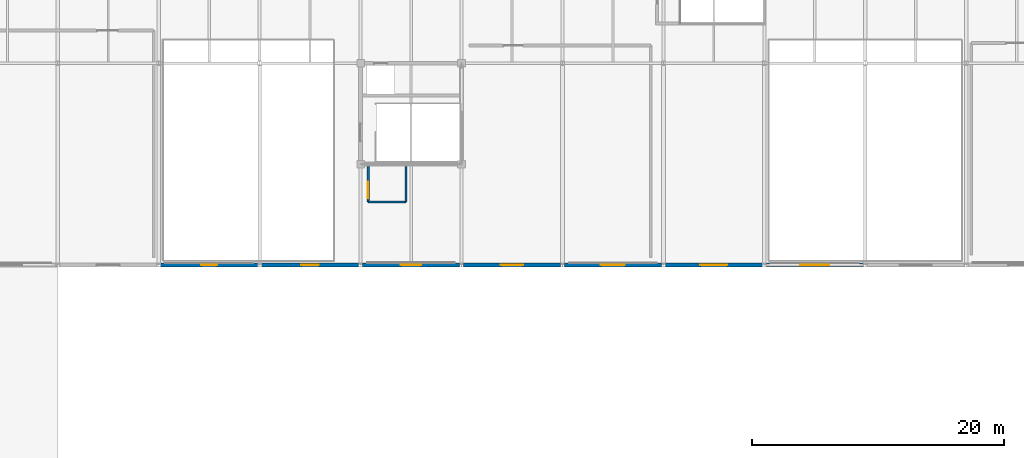
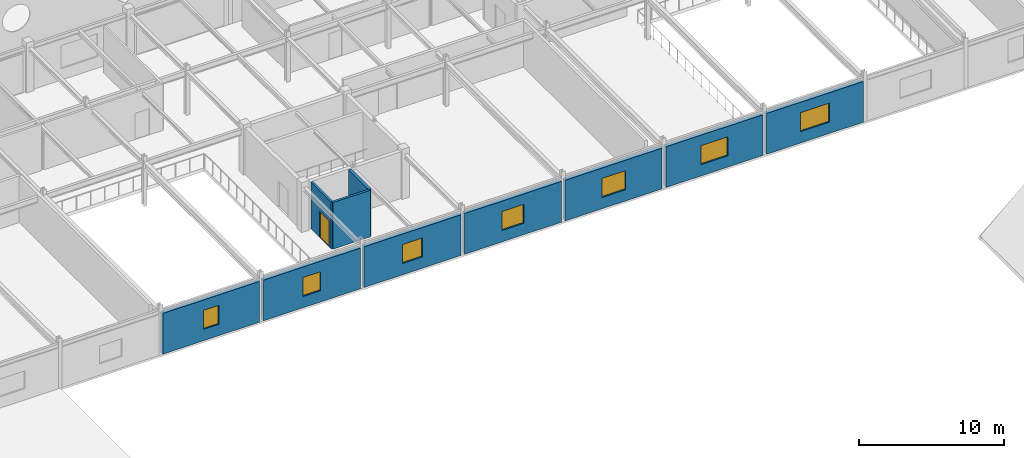
# One storey, part 77 of 88: 10 walls, 7 windows, 1 door, 8 openings.
"""IFC4 building model written with IfcOpenShell, lengths in metres."""

from ifc_helpers import new_model, si_unit, direction, frame, frame_2d, origin, place, context, subcontext, project, spatial, rectangle, extrude, material, layer, layer_set, type_object, element, fill, save


model = new_model("IFC4")

# Units and contexts
model_context = context("Model", 3, precision=1e-05, world=origin(), true_north=direction((0.0, 1.0)))
body_context = subcontext(model_context, "Body", "Model", "MODEL_VIEW")
ifc_project = project(units=[si_unit("LENGTHUNIT", "METRE"), si_unit("AREAUNIT", "SQUARE_METRE"), si_unit("VOLUMEUNIT", "CUBIC_METRE"), si_unit("PLANEANGLEUNIT", "RADIAN"), si_unit("MASSUNIT", "GRAM", prefix="KILO")], contexts=[model_context])

# Site, building, storey
site_placement = place(None, origin())
site = spatial("IfcSite", under=ifc_project, at=site_placement, CompositionType="ELEMENT")
building_placement = place(site_placement, origin())
building = spatial("IfcBuilding", under=site, at=building_placement, Name="Zhaolan Boulevard Law Courts", CompositionType="ELEMENT")
storey_placement = place(building_placement, frame((0.0, 0.0, 16.199951171875)))
storey = spatial("IfcBuildingStorey", under=building, at=storey_placement, Name="L03", CompositionType="ELEMENT", Elevation=16.199951171875)

# Wall, opening, window
ifc_material_1 = material(Name="Concrete C40", Category="concrete")
ifc_layer_1 = layer(ifc_material_1, 0.300048828125)
ifc_layer_set_1 = layer_set([ifc_layer_1])
wall_type_1 = type_object("IfcWallType", Name="EXT WALL CONCRETE300", PredefinedType="SOLIDWALL", material=ifc_layer_set_1)
wall_1_placement = place(storey_placement, frame((68.14599609375, 62.0, 0.0), z_axis=(0.0, 0.0, 1.0), x_axis=(1.0, 0.0, 0.0)))
wall_1 = element("IfcWall", 1, at=wall_1_placement, inside=storey, type_object=wall_type_1, Name="Exterior Wall EW-L03-272", PredefinedType="SOLIDWALL", context=body_context, shape_type="SweptSolid", body=[
    extrude(rectangle(XDim=7.7080078125, YDim=0.300048828125, at=frame_2d((3.85400390625, 0.0))), origin(), (0.0, 0.0, 1.0), 3.423095703125),
])
opening_1_placement = place(wall_1_placement, frame((3.22900390625, 0.0, 0.949951171875)))
opening_1 = element("IfcOpeningElement", 2, at=opening_1_placement, cuts=wall_1, Name="Opening WIN-L03-129", PredefinedType="OPENING", context=body_context, shape_type="SweptSolid", body=[
    extrude(rectangle(XDim=1.25, YDim=1.60009765625, at=frame_2d((0.625, 0.800048828125))), frame((0.0, 0.159912109375, 0.0), z_axis=(0.0, -1.0, 0.0), x_axis=(1.0, 0.0, 0.0)), (0.0, 0.0, 1.0), 0.320068359375),
])
ifc_material_2 = material(Name="Thermally broken aluminium and low-E glazing", Category="aluminium")
window_type_1 = type_object("IfcWindowType", Name="WINDOW 1250X1600", PartitioningType="SINGLE_PANEL", PredefinedType="WINDOW", material=ifc_material_2)
window_1_placement = place(opening_1_placement, origin())
window_1 = element("IfcWindow", 3, at=window_1_placement, inside=storey, type_object=window_type_1, Name="Exterior Window WIN-L03-129", OverallHeight=1.60009765625, OverallWidth=1.25, PartitioningType="SINGLE_PANEL", PredefinedType="WINDOW", context=body_context, shape_type="SweptSolid", body=[
    extrude(rectangle(XDim=1.25, YDim=1.60009765625, at=frame_2d((0.625, 0.800048828125))), frame((0.0, 0.030029296875, 0.0), z_axis=(0.0, -1.0, 0.0), x_axis=(1.0, 0.0, 0.0)), (0.0, 0.0, 1.0), 0.06005859375),
])
fill(opening_1, window_1)

wall_2_placement = place(storey_placement, frame((76.14599609375, 62.0, 0.0), z_axis=(0.0, 0.0, 1.0), x_axis=(1.0, 0.0, 0.0)))
wall_2 = element("IfcWall", 4, at=wall_2_placement, inside=storey, type_object=wall_type_1, Name="Exterior Wall EW-L03-273", PredefinedType="SOLIDWALL", context=body_context, shape_type="SweptSolid", body=[
    extrude(rectangle(XDim=7.7080078125, YDim=0.300048828125, at=frame_2d((3.85400390625, 0.0))), origin(), (0.0, 0.0, 1.0), 3.423095703125),
])
opening_2_placement = place(wall_2_placement, frame((3.154052734375, 0.0, 0.949951171875)))
opening_2 = element("IfcOpeningElement", 5, at=opening_2_placement, cuts=wall_2, Name="Opening WIN-L03-130", PredefinedType="OPENING", context=body_context, shape_type="SweptSolid", body=[
    extrude(rectangle(XDim=1.39990234375, YDim=1.60009765625, at=frame_2d((0.699951171875, 0.800048828125))), frame((0.0, 0.159912109375, 0.0), z_axis=(0.0, -1.0, 0.0), x_axis=(1.0, 0.0, 0.0)), (0.0, 0.0, 1.0), 0.320068359375),
])
ifc_material_3 = material(Name="Thermally broken aluminium and low-E glazing", Category="aluminium")
window_type_2 = type_object("IfcWindowType", Name="WINDOW 1400X1600", PartitioningType="SINGLE_PANEL", PredefinedType="WINDOW", material=ifc_material_3)
window_2_placement = place(opening_2_placement, origin())
window_2 = element("IfcWindow", 6, at=window_2_placement, inside=storey, type_object=window_type_2, Name="Exterior Window WIN-L03-130", OverallHeight=1.60009765625, OverallWidth=1.39990234375, PartitioningType="SINGLE_PANEL", PredefinedType="WINDOW", context=body_context, shape_type="SweptSolid", body=[
    extrude(rectangle(XDim=1.39990234375, YDim=1.60009765625, at=frame_2d((0.699951171875, 0.800048828125))), frame((0.0, 0.030029296875, 0.0), z_axis=(0.0, -1.0, 0.0), x_axis=(1.0, 0.0, 0.0)), (0.0, 0.0, 1.0), 0.06005859375),
])
fill(opening_2, window_2)

wall_3_placement = place(storey_placement, frame((84.14599609375, 62.0, 0.0), z_axis=(0.0, 0.0, 1.0), x_axis=(1.0, 0.0, 0.0)))
wall_3 = element("IfcWall", 7, at=wall_3_placement, inside=storey, type_object=wall_type_1, Name="Exterior Wall EW-L03-274", PredefinedType="SOLIDWALL", context=body_context, shape_type="SweptSolid", body=[
    extrude(rectangle(XDim=7.7080078125, YDim=0.300048828125, at=frame_2d((3.85400390625, 0.0))), origin(), (0.0, 0.0, 1.0), 3.423095703125),
])
opening_3_placement = place(wall_3_placement, frame((3.053955078125, 0.0, 0.949951171875)))
opening_3 = element("IfcOpeningElement", 8, at=opening_3_placement, cuts=wall_3, Name="Opening WIN-L03-131", PredefinedType="OPENING", context=body_context, shape_type="SweptSolid", body=[
    extrude(rectangle(XDim=1.60009765625, YDim=1.60009765625, at=frame_2d((0.800048828125, 0.800048828125))), frame((0.0, 0.159912109375, 0.0), z_axis=(0.0, -1.0, 0.0), x_axis=(1.0, 0.0, 0.0)), (0.0, 0.0, 1.0), 0.320068359375),
])
ifc_material_4 = material(Name="Thermally broken aluminium and low-E glazing", Category="aluminium")
window_type_3 = type_object("IfcWindowType", Name="WINDOW 1600X1600", PartitioningType="SINGLE_PANEL", PredefinedType="WINDOW", material=ifc_material_4)
window_3_placement = place(opening_3_placement, origin())
window_3 = element("IfcWindow", 9, at=window_3_placement, inside=storey, type_object=window_type_3, Name="Exterior Window WIN-L03-131", OverallHeight=1.60009765625, OverallWidth=1.60009765625, PartitioningType="SINGLE_PANEL", PredefinedType="WINDOW", context=body_context, shape_type="SweptSolid", body=[
    extrude(rectangle(XDim=1.60009765625, YDim=1.60009765625, at=frame_2d((0.800048828125, 0.800048828125))), frame((0.0, 0.030029296875, 0.0), z_axis=(0.0, -1.0, 0.0), x_axis=(1.0, 0.0, 0.0)), (0.0, 0.0, 1.0), 0.06005859375),
])
fill(opening_3, window_3)

wall_4_placement = place(storey_placement, frame((92.14599609375, 62.0, 0.0), z_axis=(0.0, 0.0, 1.0), x_axis=(1.0, 0.0, 0.0)))
wall_4 = element("IfcWall", 10, at=wall_4_placement, inside=storey, type_object=wall_type_1, Name="Exterior Wall EW-L03-275", PredefinedType="SOLIDWALL", context=body_context, shape_type="SweptSolid", body=[
    extrude(rectangle(XDim=7.7080078125, YDim=0.300048828125, at=frame_2d((3.85400390625, 0.0))), origin(), (0.0, 0.0, 1.0), 3.423095703125),
])
opening_4_placement = place(wall_4_placement, frame((2.97900390625, 0.0, 0.949951171875)))
opening_4 = element("IfcOpeningElement", 11, at=opening_4_placement, cuts=wall_4, Name="Opening WIN-L03-132", PredefinedType="OPENING", context=body_context, shape_type="SweptSolid", body=[
    extrude(rectangle(XDim=1.75, YDim=1.60009765625, at=frame_2d((0.875, 0.800048828125))), frame((0.0, 0.159912109375, 0.0), z_axis=(0.0, -1.0, 0.0), x_axis=(1.0, 0.0, 0.0)), (0.0, 0.0, 1.0), 0.320068359375),
])
ifc_material_5 = material(Name="Thermally broken aluminium and low-E glazing", Category="aluminium")
window_type_4 = type_object("IfcWindowType", Name="WINDOW 1750X1600", PartitioningType="SINGLE_PANEL", PredefinedType="WINDOW", material=ifc_material_5)
window_4_placement = place(opening_4_placement, origin())
window_4 = element("IfcWindow", 12, at=window_4_placement, inside=storey, type_object=window_type_4, Name="Exterior Window WIN-L03-132", OverallHeight=1.60009765625, OverallWidth=1.75, PartitioningType="SINGLE_PANEL", PredefinedType="WINDOW", context=body_context, shape_type="SweptSolid", body=[
    extrude(rectangle(XDim=1.75, YDim=1.60009765625, at=frame_2d((0.875, 0.800048828125))), frame((0.0, 0.030029296875, 0.0), z_axis=(0.0, -1.0, 0.0), x_axis=(1.0, 0.0, 0.0)), (0.0, 0.0, 1.0), 0.06005859375),
])
fill(opening_4, window_4)

wall_5_placement = place(storey_placement, frame((100.14599609375, 62.0, 0.0), z_axis=(0.0, 0.0, 1.0), x_axis=(1.0, 0.0, 0.0)))
wall_5 = element("IfcWall", 13, at=wall_5_placement, inside=storey, type_object=wall_type_1, Name="Exterior Wall EW-L03-276", PredefinedType="SOLIDWALL", context=body_context, shape_type="SweptSolid", body=[
    extrude(rectangle(XDim=7.7080078125, YDim=0.300048828125, at=frame_2d((3.85400390625, 0.0))), origin(), (0.0, 0.0, 1.0), 3.423095703125),
])
opening_5_placement = place(wall_5_placement, frame((2.904052734375, 0.0, 0.949951171875)))
opening_5 = element("IfcOpeningElement", 14, at=opening_5_placement, cuts=wall_5, Name="Opening WIN-L03-133", PredefinedType="OPENING", context=body_context, shape_type="SweptSolid", body=[
    extrude(rectangle(XDim=1.89990234375, YDim=1.60009765625, at=frame_2d((0.949951171875, 0.800048828125))), frame((0.0, 0.159912109375, 0.0), z_axis=(0.0, -1.0, 0.0), x_axis=(1.0, 0.0, 0.0)), (0.0, 0.0, 1.0), 0.320068359375),
])
ifc_material_6 = material(Name="Thermally broken aluminium and low-E glazing", Category="aluminium")
window_type_5 = type_object("IfcWindowType", Name="WINDOW 1900X1600", PartitioningType="DOUBLE_PANEL_VERTICAL", PredefinedType="WINDOW", material=ifc_material_6)
window_5_placement = place(opening_5_placement, origin())
window_5 = element("IfcWindow", 15, at=window_5_placement, inside=storey, type_object=window_type_5, Name="Exterior Window WIN-L03-133", OverallHeight=1.60009765625, OverallWidth=1.89990234375, PartitioningType="SINGLE_PANEL", PredefinedType="WINDOW", context=body_context, shape_type="SweptSolid", body=[
    extrude(rectangle(XDim=1.89990234375, YDim=1.60009765625, at=frame_2d((0.949951171875, 0.800048828125))), frame((0.0, 0.030029296875, 0.0), z_axis=(0.0, -1.0, 0.0), x_axis=(1.0, 0.0, 0.0)), (0.0, 0.0, 1.0), 0.06005859375),
])
fill(opening_5, window_5)

wall_6_placement = place(storey_placement, frame((108.14599609375, 62.0, 0.0), z_axis=(0.0, 0.0, 1.0), x_axis=(1.0, 0.0, 0.0)))
wall_6 = element("IfcWall", 16, at=wall_6_placement, inside=storey, type_object=wall_type_1, Name="Exterior Wall EW-L03-277", PredefinedType="SOLIDWALL", context=body_context, shape_type="SweptSolid", body=[
    extrude(rectangle(XDim=7.7080078125, YDim=0.300048828125, at=frame_2d((3.85400390625, 0.0))), origin(), (0.0, 0.0, 1.0), 3.423095703125),
])
opening_6_placement = place(wall_6_placement, frame((2.779052734375, 0.0, 0.949951171875)))
opening_6 = element("IfcOpeningElement", 17, at=opening_6_placement, cuts=wall_6, Name="Opening WIN-L03-134", PredefinedType="OPENING", context=body_context, shape_type="SweptSolid", body=[
    extrude(rectangle(XDim=2.14990234375, YDim=1.60009765625, at=frame_2d((1.074951171875, 0.800048828125))), frame((0.0, 0.159912109375, 0.0), z_axis=(0.0, -1.0, 0.0), x_axis=(1.0, 0.0, 0.0)), (0.0, 0.0, 1.0), 0.320068359375),
])
ifc_material_7 = material(Name="Thermally broken aluminium and low-E glazing", Category="aluminium")
window_type_6 = type_object("IfcWindowType", Name="WINDOW 2150X1600", PartitioningType="DOUBLE_PANEL_VERTICAL", PredefinedType="WINDOW", material=ifc_material_7)
window_6_placement = place(opening_6_placement, origin())
window_6 = element("IfcWindow", 18, at=window_6_placement, inside=storey, type_object=window_type_6, Name="Exterior Window WIN-L03-134", OverallHeight=1.60009765625, OverallWidth=2.14990234375, PartitioningType="SINGLE_PANEL", PredefinedType="WINDOW", context=body_context, shape_type="SweptSolid", body=[
    extrude(rectangle(XDim=2.14990234375, YDim=1.60009765625, at=frame_2d((1.074951171875, 0.800048828125))), frame((0.0, 0.030029296875, 0.0), z_axis=(0.0, -1.0, 0.0), x_axis=(1.0, 0.0, 0.0)), (0.0, 0.0, 1.0), 0.06005859375),
])
fill(opening_6, window_6)

wall_7_placement = place(storey_placement, frame((116.14599609375, 62.0, 0.0), z_axis=(0.0, 0.0, 1.0), x_axis=(1.0, 0.0, 0.0)))
wall_7 = element("IfcWall", 19, at=wall_7_placement, inside=storey, type_object=wall_type_1, Name="Exterior Wall EW-L03-278", PredefinedType="SOLIDWALL", context=body_context, shape_type="SweptSolid", body=[
    extrude(rectangle(XDim=7.7080078125, YDim=0.300048828125, at=frame_2d((3.85400390625, 0.0))), origin(), (0.0, 0.0, 1.0), 3.423095703125),
])
opening_7_placement = place(wall_7_placement, frame((2.7041015625, 0.0, 0.949951171875)))
opening_7 = element("IfcOpeningElement", 20, at=opening_7_placement, cuts=wall_7, Name="Opening WIN-L03-135", PredefinedType="OPENING", context=body_context, shape_type="SweptSolid", body=[
    extrude(rectangle(XDim=2.300048828125, YDim=1.60009765625, at=frame_2d((1.14990234375, 0.800048828125))), frame((0.0, 0.159912109375, 0.0), z_axis=(0.0, -1.0, 0.0), x_axis=(1.0, 0.0, 0.0)), (0.0, 0.0, 1.0), 0.320068359375),
])
ifc_material_8 = material(Name="Thermally broken aluminium and low-E glazing", Category="aluminium")
window_type_7 = type_object("IfcWindowType", Name="WINDOW 2300X1600", PartitioningType="DOUBLE_PANEL_VERTICAL", PredefinedType="WINDOW", material=ifc_material_8)
window_7_placement = place(opening_7_placement, origin())
window_7 = element("IfcWindow", 21, at=window_7_placement, inside=storey, type_object=window_type_7, Name="Exterior Window WIN-L03-135", OverallHeight=1.60009765625, OverallWidth=2.300048828125, PartitioningType="SINGLE_PANEL", PredefinedType="WINDOW", context=body_context, shape_type="SweptSolid", body=[
    extrude(rectangle(XDim=2.300048828125, YDim=1.60009765625, at=frame_2d((1.14990234375, 0.800048828125))), frame((0.0, 0.030029296875, 0.0), z_axis=(0.0, -1.0, 0.0), x_axis=(1.0, 0.0, 0.0)), (0.0, 0.0, 1.0), 0.06005859375),
])
fill(opening_7, window_7)

# Wall
ifc_material_9 = material(Name="Acoustic gypsum and mineral-wool stud")
ifc_layer_2 = layer(ifc_material_9, 0.18994140625)
ifc_layer_set_2 = layer_set([ifc_layer_2])
wall_type_2 = type_object("IfcWallType", Name="PART WALL ACOUST190", PredefinedType="PARTITIONING", material=ifc_layer_set_2)
wall_8_placement = place(storey_placement, frame((84.60009765625, 67.0, 0.0), z_axis=(0.0, 0.0, 1.0), x_axis=(1.0, 0.0, 0.0)))
element("IfcWall", 22, at=wall_8_placement, inside=storey, type_object=wall_type_2, Name="Interior Partition PW-L03-088", PredefinedType="PARTITIONING", context=body_context, shape_type="SweptSolid", body=[
    extrude(rectangle(XDim=3.0, YDim=0.18994140625, at=frame_2d((1.5, 0.0))), origin(), (0.0, 0.0, 1.0), 3.920166015625),
])

# Wall, opening, door
wall_9_placement = place(storey_placement, frame((84.60009765625, 69.800048828125, 0.0), z_axis=(0.0, 0.0, 1.0), x_axis=(0.0, -1.0, 0.0)))
wall_9 = element("IfcWall", 23, at=wall_9_placement, inside=storey, type_object=wall_type_2, Name="Interior Partition PW-L03-089", PredefinedType="PARTITIONING", context=body_context, shape_type="SweptSolid", body=[
    extrude(rectangle(XDim=2.800048828125, YDim=0.18994140625, at=frame_2d((1.39990234375, 0.0))), origin(), (0.0, 0.0, 1.0), 3.920166015625),
])
opening_8_placement = place(wall_9_placement, frame((1.199951171875, 0.0, 0.0)))
opening_8 = element("IfcOpeningElement", 24, at=opening_8_placement, cuts=wall_9, Name="Opening FD-L03-030", PredefinedType="OPENING", context=body_context, shape_type="SweptSolid", body=[
    extrude(rectangle(XDim=1.300048828125, YDim=2.199951171875, at=frame_2d((0.64990234375, 1.10009765625))), frame((0.0, 0.10498046875, 0.0), z_axis=(0.0, -1.0, 0.0), x_axis=(1.0, 0.0, 0.0)), (0.0, 0.0, 1.0), 0.2099609375),
])
ifc_material_10 = material(Name="Fire-rated steel acoustic door", Category="steel")
door_type = type_object("IfcDoorType", Name="LOBBY FIRE 1300X2200 R", OperationType="SINGLE_SWING_RIGHT", PredefinedType="DOOR", material=ifc_material_10)
door_placement = place(opening_8_placement, origin())
door = element("IfcDoor", 25, at=door_placement, inside=storey, type_object=door_type, Name="Door FD-L03-030 (Lobby Firefighting Lift L03-T1)", OperationType="SINGLE_SWING_RIGHT", OverallHeight=2.199951171875, OverallWidth=1.300048828125, PredefinedType="DOOR", context=body_context, shape_type="SweptSolid", body=[
    extrude(rectangle(XDim=1.300048828125, YDim=2.199951171875, at=frame_2d((0.64990234375, 1.10009765625))), frame((0.0, 0.02490234375, 0.0), z_axis=(0.0, -1.0, 0.0), x_axis=(1.0, 0.0, 0.0)), (0.0, 0.0, 1.0), 0.050048828125),
])
fill(opening_8, door)

# Wall
wall_10_placement = place(storey_placement, frame((87.60009765625, 67.0, 0.0), z_axis=(0.0, 0.0, 1.0), x_axis=(0.0, 1.0, 0.0)))
element("IfcWall", 26, at=wall_10_placement, inside=storey, type_object=wall_type_2, Name="Interior Partition PW-L03-090", PredefinedType="PARTITIONING", context=body_context, shape_type="SweptSolid", body=[
    extrude(rectangle(XDim=2.800048828125, YDim=0.18994140625, at=frame_2d((1.39990234375, 0.0))), origin(), (0.0, 0.0, 1.0), 3.920166015625),
])

save(model, "model.ifc")
